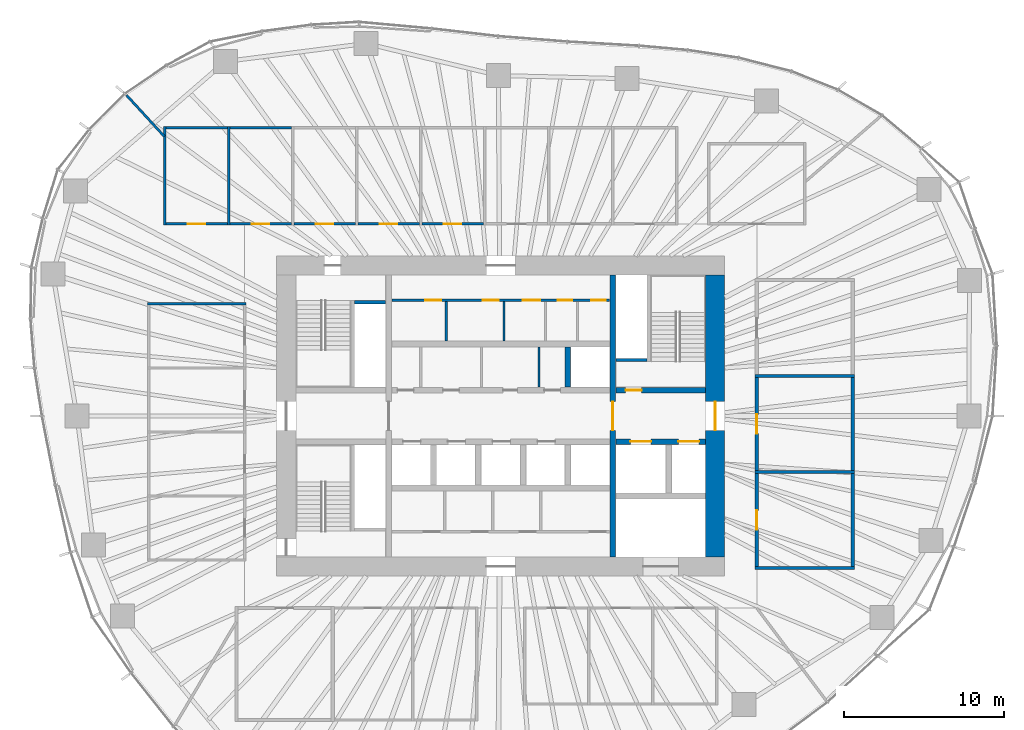
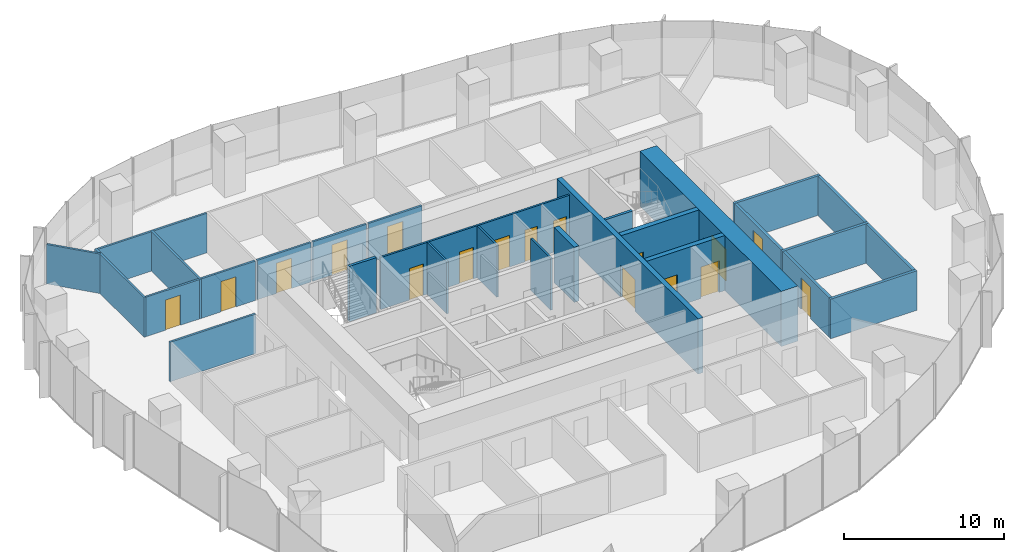
# One storey, part 10 of 18: 29 walls, 17 doors, 17 openings.
"""IFC4 building model written with IfcOpenShell, lengths in metres."""

from ifc_helpers import new_model, si_unit, direction, frame, frame_2d, origin, place, context, subcontext, project, spatial, rectangle, extrude, material, layer, layer_set, type_object, element, fill, save


model = new_model("IFC4")

# Units and contexts
model_context = context("Model", 3, precision=1e-05, world=origin(), true_north=direction((0.0, 1.0)))
body_context = subcontext(model_context, "Body", "Model", "MODEL_VIEW")
ifc_project = project(units=[si_unit("LENGTHUNIT", "METRE"), si_unit("AREAUNIT", "SQUARE_METRE"), si_unit("VOLUMEUNIT", "CUBIC_METRE"), si_unit("PLANEANGLEUNIT", "RADIAN"), si_unit("MASSUNIT", "GRAM", prefix="KILO")], contexts=[model_context])

# Site, building, storey
site_placement = place(None, origin())
site = spatial("IfcSite", under=ifc_project, at=site_placement, CompositionType="ELEMENT")
building_placement = place(site_placement, origin())
building = spatial("IfcBuilding", under=site, at=building_placement, Name="Ghaith Harvest Tower", CompositionType="ELEMENT")
storey_placement = place(building_placement, frame((0.0, 0.0, 113.39990234375)))
storey = spatial("IfcBuildingStorey", under=building, at=storey_placement, Name="L23", CompositionType="ELEMENT", Elevation=113.39990234375)

# Walls
ifc_material_1 = material(Name="Twin-stud gypsum board, acoustic", Category="gypsum")
ifc_layer_1 = layer(ifc_material_1, 0.199951171875)
ifc_layer_set_1 = layer_set([ifc_layer_1], Name="ACOUSTIC PARTITION 200")
wall_type_1 = type_object("IfcWallType", Name="ACOUSTIC PARTITION 200", PredefinedType="PARTITIONING", material=ifc_layer_set_1)
for number, where, z_axis, x_axis, name in (
    (1, (15.89990234375, -9.5, 0.0), (0.0, 0.0, 1.0), (1.0, 0.0, 0.0), "Partition L23 row E3 cross wall 1"),
    (2, (15.89990234375, -3.5, 0.0), (0.0, 0.0, 1.0), (1.0, 0.0, 0.0), "Partition L23 row E3 cross wall 2"),
    (3, (15.89990234375, 2.5, 0.0), (0.0, 0.0, 1.0), (1.0, 0.0, 0.0), "Partition L23 row E3 cross wall 3"),
):
    element("IfcWall", number, at=place(storey_placement, frame(where, z_axis=z_axis, x_axis=x_axis)), inside=storey, type_object=wall_type_1, Name=name, PredefinedType="PARTITIONING", context=body_context, shape_type="SweptSolid", body=[
        extrude(rectangle(XDim=6.2001953125, YDim=0.199951171875, at=frame_2d((3.10009765625, 0.0))), origin(), (0.0, 0.0, 1.0), 3.0),
    ])

# Wall, opening, door
wall_1_placement = place(storey_placement, frame((16.0, -9.39990234375, 0.0), z_axis=(0.0, 0.0, 1.0), x_axis=(0.0, 1.0, 0.0)))
wall_1 = element("IfcWall", 4, at=wall_1_placement, inside=storey, type_object=wall_type_1, Name="Partition L23-10", PredefinedType="PARTITIONING", context=body_context, shape_type="SweptSolid", body=[
    extrude(rectangle(XDim=5.7998046875, YDim=0.199951171875, at=frame_2d((2.89990234375, 0.0))), origin(), (0.0, 0.0, 1.0), 3.0),
])
opening_1_placement = place(wall_1_placement, frame((2.300048828125, 0.0, 0.0)))
opening_1 = element("IfcOpeningElement", 5, at=opening_1_placement, cuts=wall_1, Name="Opening 23-039", PredefinedType="OPENING", context=body_context, shape_type="SweptSolid", body=[
    extrude(rectangle(XDim=1.199951171875, YDim=2.39990234375, at=frame_2d((0.60009765625, 1.199951171875))), frame((0.0, 0.10986328125, 0.0), z_axis=(0.0, -1.0, 0.0), x_axis=(1.0, 0.0, 0.0)), (0.0, 0.0, 1.0), 0.219970703125),
])
ifc_material_2 = material(Name="Timber door", Category="wood")
door_type_1 = type_object("IfcDoorType", Name="D11 GLAZED 1200x2400", OperationType="SINGLE_SWING_LEFT", PredefinedType="DOOR", material=ifc_material_2)
door_1_placement = place(opening_1_placement, origin())
door_1 = element("IfcDoor", 6, at=door_1_placement, inside=storey, type_object=door_type_1, Name="Meeting room door", OperationType="SINGLE_SWING_LEFT", OverallHeight=2.39990234375, OverallWidth=1.199951171875, PredefinedType="DOOR", context=body_context, shape_type="SweptSolid", body=[
    extrude(rectangle(XDim=1.199951171875, YDim=2.39990234375, at=frame_2d((0.60009765625, 1.199951171875))), frame((0.0, 0.02490234375, 0.0), z_axis=(0.0, -1.0, 0.0), x_axis=(1.0, 0.0, 0.0)), (0.0, 0.0, 1.0), 0.050048828125),
])
fill(opening_1, door_1)

# Wall
wall_2_placement = place(storey_placement, frame((22.0, -9.39990234375, 0.0), z_axis=(0.0, 0.0, 1.0), x_axis=(0.0, 1.0, 0.0)))
element("IfcWall", 7, at=wall_2_placement, inside=storey, type_object=wall_type_1, Name="Partition L23-10", PredefinedType="PARTITIONING", context=body_context, shape_type="SweptSolid", body=[
    extrude(rectangle(XDim=5.7998046875, YDim=0.199951171875, at=frame_2d((2.89990234375, 0.0))), origin(), (0.0, 0.0, 1.0), 3.0),
])

# Wall, opening, door
wall_3_placement = place(storey_placement, frame((16.0, -3.39990234375, 0.0), z_axis=(0.0, 0.0, 1.0), x_axis=(0.0, 1.0, 0.0)))
wall_3 = element("IfcWall", 8, at=wall_3_placement, inside=storey, type_object=wall_type_1, Name="Partition L23-11", PredefinedType="PARTITIONING", context=body_context, shape_type="SweptSolid", body=[
    extrude(rectangle(XDim=5.7998046875, YDim=0.199951171875, at=frame_2d((2.89990234375, 0.0))), origin(), (0.0, 0.0, 1.0), 3.0),
])
opening_2_placement = place(wall_3_placement, frame((2.300048828125, 0.0, 0.0)))
opening_2 = element("IfcOpeningElement", 9, at=opening_2_placement, cuts=wall_3, Name="Opening 23-040", PredefinedType="OPENING", context=body_context, shape_type="SweptSolid", body=[
    extrude(rectangle(XDim=1.199951171875, YDim=2.39990234375, at=frame_2d((0.60009765625, 1.199951171875))), frame((0.0, 0.10986328125, 0.0), z_axis=(0.0, -1.0, 0.0), x_axis=(1.0, 0.0, 0.0)), (0.0, 0.0, 1.0), 0.219970703125),
])
door_2_placement = place(opening_2_placement, origin())
door_2 = element("IfcDoor", 10, at=door_2_placement, inside=storey, type_object=door_type_1, Name="Meeting room door", OperationType="SINGLE_SWING_LEFT", OverallHeight=2.39990234375, OverallWidth=1.199951171875, PredefinedType="DOOR", context=body_context, shape_type="SweptSolid", body=[
    extrude(rectangle(XDim=1.199951171875, YDim=2.39990234375, at=frame_2d((0.60009765625, 1.199951171875))), frame((0.0, 0.02490234375, 0.0), z_axis=(0.0, -1.0, 0.0), x_axis=(1.0, 0.0, 0.0)), (0.0, 0.0, 1.0), 0.050048828125),
])
fill(opening_2, door_2)

# Wall
wall_4_placement = place(storey_placement, frame((22.0, -3.39990234375, 0.0), z_axis=(0.0, 0.0, 1.0), x_axis=(0.0, 1.0, 0.0)))
element("IfcWall", 11, at=wall_4_placement, inside=storey, type_object=wall_type_1, Name="Partition L23-11", PredefinedType="PARTITIONING", context=body_context, shape_type="SweptSolid", body=[
    extrude(rectangle(XDim=5.7998046875, YDim=0.199951171875, at=frame_2d((2.89990234375, 0.0))), origin(), (0.0, 0.0, 1.0), 3.0),
])

# Wall, openings, doors
ifc_material_3 = material(Name="Concrete blockwork, fair-faced", Category="masonry")
ifc_layer_2 = layer(ifc_material_3, 0.139892578125)
ifc_layer_set_2 = layer_set([ifc_layer_2], Name="CORE PARTITION 140")
wall_type_2 = type_object("IfcWallType", Name="CORE PARTITION 140", PredefinedType="PARTITIONING", material=ifc_layer_set_2)
wall_5_placement = place(storey_placement, frame((-6.800048828125, 7.22998046875, 0.0), z_axis=(0.0, 0.0, 1.0), x_axis=(1.0, 0.0, 0.0)))
wall_5 = element("IfcWall", 12, at=wall_5_placement, inside=storey, type_object=wall_type_2, Name="Core partition L23", PredefinedType="PARTITIONING", context=body_context, shape_type="SweptSolid", body=[
    extrude(rectangle(XDim=13.60009765625, YDim=0.139892578125, at=frame_2d((6.800048828125, 0.0))), origin(), (0.0, 0.0, 1.0), 3.9501953125),
])
opening_3_placement = place(wall_5_placement, frame((2.080078125, 0.0, 0.0)))
opening_3 = element("IfcOpeningElement", 13, at=opening_3_placement, cuts=wall_5, Name="Opening 23-008", PredefinedType="OPENING", context=body_context, shape_type="SweptSolid", body=[
    extrude(rectangle(XDim=1.0, YDim=2.39990234375, at=frame_2d((0.5, 1.199951171875))), frame((0.0, 0.080078125, 0.0), z_axis=(0.0, -1.0, 0.0), x_axis=(1.0, 0.0, 0.0)), (0.0, 0.0, 1.0), 0.159912109375),
])
opening_4_placement = place(wall_5_placement, frame((5.679931640625, 0.0, 0.0)))
opening_4 = element("IfcOpeningElement", 14, at=opening_4_placement, cuts=wall_5, Name="Opening 23-009", PredefinedType="OPENING", context=body_context, shape_type="SweptSolid", body=[
    extrude(rectangle(XDim=1.0, YDim=2.39990234375, at=frame_2d((0.5, 1.199951171875))), frame((0.0, 0.080078125, 0.0), z_axis=(0.0, -1.0, 0.0), x_axis=(1.0, 0.0, 0.0)), (0.0, 0.0, 1.0), 0.159912109375),
])
opening_5_placement = place(wall_5_placement, frame((8.179931640625, 0.0, 0.0)))
opening_5 = element("IfcOpeningElement", 15, at=opening_5_placement, cuts=wall_5, Name="Opening 23-010", PredefinedType="OPENING", context=body_context, shape_type="SweptSolid", body=[
    extrude(rectangle(XDim=1.10009765625, YDim=2.39990234375, at=frame_2d((0.550048828125, 1.199951171875))), frame((0.0, 0.080078125, 0.0), z_axis=(0.0, -1.0, 0.0), x_axis=(1.0, 0.0, 0.0)), (0.0, 0.0, 1.0), 0.159912109375),
])
opening_6_placement = place(wall_5_placement, frame((10.3798828125, 0.0, 0.0)))
opening_6 = element("IfcOpeningElement", 16, at=opening_6_placement, cuts=wall_5, Name="Opening 23-011", PredefinedType="OPENING", context=body_context, shape_type="SweptSolid", body=[
    extrude(rectangle(XDim=0.89990234375, YDim=2.39990234375, at=frame_2d((0.449951171875, 1.199951171875))), frame((0.0, 0.080078125, 0.0), z_axis=(0.0, -1.0, 0.0), x_axis=(1.0, 0.0, 0.0)), (0.0, 0.0, 1.0), 0.159912109375),
])
opening_7_placement = place(wall_5_placement, frame((12.449951171875, 0.0, 0.0)))
opening_7 = element("IfcOpeningElement", 17, at=opening_7_placement, cuts=wall_5, Name="Opening 23-012", PredefinedType="OPENING", context=body_context, shape_type="SweptSolid", body=[
    extrude(rectangle(XDim=0.89990234375, YDim=2.39990234375, at=frame_2d((0.449951171875, 1.199951171875))), frame((0.0, 0.080078125, 0.0), z_axis=(0.0, -1.0, 0.0), x_axis=(1.0, 0.0, 0.0)), (0.0, 0.0, 1.0), 0.159912109375),
])
ifc_material_4 = material(Name="Steel fire door", Category="steel")
door_type_2 = type_object("IfcDoorType", Name="D3 FD90 1000x2400", OperationType="SINGLE_SWING_LEFT", PredefinedType="DOOR", material=ifc_material_4)
door_3_placement = place(opening_3_placement, origin())
door_3 = element("IfcDoor", 18, at=door_3_placement, inside=storey, type_object=door_type_2, Name="Male WC door", OperationType="SINGLE_SWING_LEFT", OverallHeight=2.39990234375, OverallWidth=1.0, PredefinedType="DOOR", context=body_context, shape_type="SweptSolid", body=[
    extrude(rectangle(XDim=1.0, YDim=2.39990234375, at=frame_2d((0.5, 1.199951171875))), frame((0.0, 0.02490234375, 0.0), z_axis=(0.0, -1.0, 0.0), x_axis=(1.0, 0.0, 0.0)), (0.0, 0.0, 1.0), 0.050048828125),
])
fill(opening_3, door_3)
door_4_placement = place(opening_4_placement, origin())
door_4 = element("IfcDoor", 19, at=door_4_placement, inside=storey, type_object=door_type_2, Name="Female WC door", OperationType="SINGLE_SWING_LEFT", OverallHeight=2.39990234375, OverallWidth=1.0, PredefinedType="DOOR", context=body_context, shape_type="SweptSolid", body=[
    extrude(rectangle(XDim=1.0, YDim=2.39990234375, at=frame_2d((0.5, 1.199951171875))), frame((0.0, 0.02490234375, 0.0), z_axis=(0.0, -1.0, 0.0), x_axis=(1.0, 0.0, 0.0)), (0.0, 0.0, 1.0), 0.050048828125),
])
fill(opening_4, door_4)
ifc_material_5 = material(Name="Steel fire door", Category="steel")
door_type_3 = type_object("IfcDoorType", Name="D5 FD90 900x2400", OperationType="SINGLE_SWING_LEFT", PredefinedType="DOOR", material=ifc_material_5)
door_5_placement = place(opening_6_placement, origin())
door_5 = element("IfcDoor", 20, at=door_5_placement, inside=storey, type_object=door_type_3, Name="Store door", OperationType="SINGLE_SWING_RIGHT", OverallHeight=2.39990234375, OverallWidth=0.89990234375, PredefinedType="DOOR", context=body_context, shape_type="SweptSolid", body=[
    extrude(rectangle(XDim=0.89990234375, YDim=2.39990234375, at=frame_2d((0.449951171875, 1.199951171875))), frame((0.0, 0.02490234375, 0.0), z_axis=(0.0, -1.0, 0.0), x_axis=(1.0, 0.0, 0.0)), (0.0, 0.0, 1.0), 0.050048828125),
])
fill(opening_6, door_5)
door_6_placement = place(opening_7_placement, origin())
door_6 = element("IfcDoor", 21, at=door_6_placement, inside=storey, type_object=door_type_3, Name="Cleaner's store door", OperationType="SINGLE_SWING_RIGHT", OverallHeight=2.39990234375, OverallWidth=0.89990234375, PredefinedType="DOOR", context=body_context, shape_type="SweptSolid", body=[
    extrude(rectangle(XDim=0.89990234375, YDim=2.39990234375, at=frame_2d((0.449951171875, 1.199951171875))), frame((0.0, 0.02490234375, 0.0), z_axis=(0.0, -1.0, 0.0), x_axis=(1.0, 0.0, 0.0)), (0.0, 0.0, 1.0), 0.050048828125),
])
fill(opening_7, door_6)
ifc_material_6 = material(Name="Steel fire door", Category="steel")
door_type_4 = type_object("IfcDoorType", Name="D9 FD90 1100x2400", OperationType="SINGLE_SWING_LEFT", PredefinedType="DOOR", material=ifc_material_6)
door_7_placement = place(opening_5_placement, origin())
door_7 = element("IfcDoor", 22, at=door_7_placement, inside=storey, type_object=door_type_4, Name="Accessible WC door", OperationType="SINGLE_SWING_RIGHT", OverallHeight=2.39990234375, OverallWidth=1.10009765625, PredefinedType="DOOR", context=body_context, shape_type="SweptSolid", body=[
    extrude(rectangle(XDim=1.10009765625, YDim=2.39990234375, at=frame_2d((0.550048828125, 1.199951171875))), frame((0.0, 0.02490234375, 0.0), z_axis=(0.0, -1.0, 0.0), x_axis=(1.0, 0.0, 0.0)), (0.0, 0.0, 1.0), 0.050048828125),
])
fill(opening_5, door_7)

# Walls
for number, where, z_axis, x_axis, name in (
    (23, (-3.39990234375, 4.699951171875, 0.0), (0.0, 0.0, 1.0), (0.0, 1.0, 0.0), "Core partition L23"),
    (24, (0.199951171875, 4.699951171875, 0.0), (0.0, 0.0, 1.0), (0.0, 1.0, 0.0), "Core partition L23"),
):
    element("IfcWall", number, at=place(storey_placement, frame(where, z_axis=z_axis, x_axis=x_axis)), inside=storey, type_object=wall_type_2, Name=name, PredefinedType="PARTITIONING", context=body_context, shape_type="SweptSolid", body=[
        extrude(rectangle(XDim=2.4599609375, YDim=0.139892578125, at=frame_2d((1.22998046875, 0.0))), origin(), (0.0, 0.0, 1.0), 3.9501953125),
    ])
wall_6_placement = place(storey_placement, frame((2.39990234375, 1.800048828125, 0.0), z_axis=(0.0, 0.0, 1.0), x_axis=(0.0, 1.0, 0.0)))
element("IfcWall", 25, at=wall_6_placement, inside=storey, type_object=wall_type_2, Name="Core partition L23", PredefinedType="PARTITIONING", context=body_context, shape_type="SweptSolid", body=[
    extrude(rectangle(XDim=2.5, YDim=0.139892578125, at=frame_2d((1.25, 0.0))), origin(), (0.0, 0.0, 1.0), 3.9501953125),
])

# Wall, opening, door
ifc_material_7 = material(Name="Concrete C60/75", Category="concrete")
ifc_layer_3 = layer(ifc_material_7, 1.199951171875)
ifc_layer_set_3 = layer_set([ifc_layer_3], Name="CORE WALL CW1200 C60")
wall_type_3 = type_object("IfcWallType", Name="CORE WALL CW1200 C60", PredefinedType="SHEAR", material=ifc_layer_set_3)
wall_7_placement = place(storey_placement, frame((13.39990234375, -8.800048828125, 0.0), z_axis=(0.0, 0.0, 1.0), x_axis=(0.0, 1.0, 0.0)))
wall_7 = element("IfcWall", 26, at=wall_7_placement, inside=storey, type_object=wall_type_3, Name="Core wall E L23", PredefinedType="SHEAR", context=body_context, shape_type="SweptSolid", body=[
    extrude(rectangle(XDim=17.60009765625, YDim=1.199951171875, at=frame_2d((8.800048828125, 0.0))), origin(), (0.0, 0.0, 1.0), 4.2001953125),
])
opening_8_placement = place(wall_7_placement, frame((7.89990234375, 0.0, 0.0)))
opening_8 = element("IfcOpeningElement", 27, at=opening_8_placement, cuts=wall_7, Name="Opening 23-002", PredefinedType="OPENING", context=body_context, shape_type="SweptSolid", body=[
    extrude(rectangle(XDim=1.800048828125, YDim=2.39990234375, at=frame_2d((0.89990234375, 1.199951171875))), frame((0.0, 0.60986328125, 0.0), z_axis=(0.0, -1.0, 0.0), x_axis=(1.0, 0.0, 0.0)), (0.0, 0.0, 1.0), 1.219970703125),
])
ifc_material_8 = material(Name="Steel fire door", Category="steel")
door_type_5 = type_object("IfcDoorType", Name="D4 FD90 PAIR 1800x2400", OperationType="DOUBLE_DOOR_SINGLE_SWING", PredefinedType="DOOR", material=ifc_material_8)
door_8_placement = place(opening_8_placement, origin())
door_8 = element("IfcDoor", 28, at=door_8_placement, inside=storey, type_object=door_type_5, Name="Fire-fighting lobby doors", OperationType="DOUBLE_DOOR_SINGLE_SWING", OverallHeight=2.39990234375, OverallWidth=1.800048828125, PredefinedType="DOOR", context=body_context, shape_type="SweptSolid", body=[
    extrude(rectangle(XDim=1.800048828125, YDim=2.39990234375, at=frame_2d((0.89990234375, 1.199951171875))), frame((0.0, 0.02490234375, 0.0), z_axis=(0.0, -1.0, 0.0), x_axis=(1.0, 0.0, 0.0)), (0.0, 0.0, 1.0), 0.050048828125),
])
fill(opening_8, door_8)

# Walls
ifc_material_9 = material(Name="Gypsum board on steel studs", Category="steel")
ifc_layer_4 = layer(ifc_material_9, 0.14990234375)
ifc_layer_set_4 = layer_set([ifc_layer_4], Name="PARTITION 150")
wall_type_4 = type_object("IfcWallType", Name="PARTITION 150", PredefinedType="PARTITIONING", material=ifc_layer_set_4)
for number, where, z_axis, x_axis, name in (
    (29, (-21.0, 11.925048828125, 0.0), (0.0, 0.0, 1.0), (0.0, 1.0, 0.0), "Partition L23 row N1 cross wall 1"),
    (30, (-17.0, 11.925048828125, 0.0), (0.0, 0.0, 1.0), (0.0, 1.0, 0.0), "Partition L23 row N1 cross wall 2"),
):
    element("IfcWall", number, at=place(storey_placement, frame(where, z_axis=z_axis, x_axis=x_axis)), inside=storey, type_object=wall_type_4, Name=name, PredefinedType="PARTITIONING", context=body_context, shape_type="SweptSolid", body=[
        extrude(rectangle(XDim=6.14990234375, YDim=0.14990234375, at=frame_2d((3.074951171875, 0.0))), origin(), (0.0, 0.0, 1.0), 3.0),
    ])

# Wall, opening, door
wall_8_placement = place(storey_placement, frame((-20.925048828125, 12.0, 0.0), z_axis=(0.0, 0.0, 1.0), x_axis=(1.0, 0.0, 0.0)))
wall_8 = element("IfcWall", 31, at=wall_8_placement, inside=storey, type_object=wall_type_4, Name="Partition L23-01", PredefinedType="PARTITIONING", context=body_context, shape_type="SweptSolid", body=[
    extrude(rectangle(XDim=3.85009765625, YDim=0.14990234375, at=frame_2d((1.925048828125, 0.0))), origin(), (0.0, 0.0, 1.0), 3.0),
])
opening_9_placement = place(wall_8_placement, frame((1.375, 0.0, 0.0)))
opening_9 = element("IfcOpeningElement", 32, at=opening_9_placement, cuts=wall_8, Name="Opening 23-030", PredefinedType="OPENING", context=body_context, shape_type="SweptSolid", body=[
    extrude(rectangle(XDim=1.10009765625, YDim=2.300048828125, at=frame_2d((0.550048828125, 1.14990234375))), frame((0.0, 0.0849609375, 0.0), z_axis=(0.0, -1.0, 0.0), x_axis=(1.0, 0.0, 0.0)), (0.0, 0.0, 1.0), 0.169921875),
])
ifc_material_10 = material(Name="Timber-framed glazed door", Category="wood")
door_type_6 = type_object("IfcDoorType", Name="D12 GLAZED OFFICE 1100x2300", OperationType="SINGLE_SWING_LEFT", PredefinedType="DOOR", material=ifc_material_10)
door_9_placement = place(opening_9_placement, origin())
door_9 = element("IfcDoor", 33, at=door_9_placement, inside=storey, type_object=door_type_6, Name="Office door", OperationType="SINGLE_SWING_LEFT", OverallHeight=2.300048828125, OverallWidth=1.10009765625, PredefinedType="DOOR", context=body_context, shape_type="SweptSolid", body=[
    extrude(rectangle(XDim=1.10009765625, YDim=2.300048828125, at=frame_2d((0.550048828125, 1.14990234375))), frame((0.0, 0.02490234375, 0.0), z_axis=(0.0, -1.0, 0.0), x_axis=(1.0, 0.0, 0.0)), (0.0, 0.0, 1.0), 0.050048828125),
])
fill(opening_9, door_9)

# Wall
wall_9_placement = place(storey_placement, frame((-20.925048828125, 18.0, 0.0), z_axis=(0.0, 0.0, 1.0), x_axis=(1.0, 0.0, 0.0)))
element("IfcWall", 34, at=wall_9_placement, inside=storey, type_object=wall_type_4, Name="Partition L23-01", PredefinedType="PARTITIONING", context=body_context, shape_type="SweptSolid", body=[
    extrude(rectangle(XDim=3.85009765625, YDim=0.14990234375, at=frame_2d((1.925048828125, 0.0))), origin(), (0.0, 0.0, 1.0), 3.0),
])

# Wall, opening, door
wall_10_placement = place(storey_placement, frame((-16.925048828125, 12.0, 0.0), z_axis=(0.0, 0.0, 1.0), x_axis=(1.0, 0.0, 0.0)))
wall_10 = element("IfcWall", 35, at=wall_10_placement, inside=storey, type_object=wall_type_4, Name="Partition L23-02", PredefinedType="PARTITIONING", context=body_context, shape_type="SweptSolid", body=[
    extrude(rectangle(XDim=3.85009765625, YDim=0.14990234375, at=frame_2d((1.925048828125, 0.0))), origin(), (0.0, 0.0, 1.0), 3.0),
])
opening_10_placement = place(wall_10_placement, frame((1.375, 0.0, 0.0)))
opening_10 = element("IfcOpeningElement", 36, at=opening_10_placement, cuts=wall_10, Name="Opening 23-031", PredefinedType="OPENING", context=body_context, shape_type="SweptSolid", body=[
    extrude(rectangle(XDim=1.10009765625, YDim=2.300048828125, at=frame_2d((0.550048828125, 1.14990234375))), frame((0.0, 0.0849609375, 0.0), z_axis=(0.0, -1.0, 0.0), x_axis=(1.0, 0.0, 0.0)), (0.0, 0.0, 1.0), 0.169921875),
])
door_10_placement = place(opening_10_placement, origin())
door_10 = element("IfcDoor", 37, at=door_10_placement, inside=storey, type_object=door_type_6, Name="Office door", OperationType="SINGLE_SWING_LEFT", OverallHeight=2.300048828125, OverallWidth=1.10009765625, PredefinedType="DOOR", context=body_context, shape_type="SweptSolid", body=[
    extrude(rectangle(XDim=1.10009765625, YDim=2.300048828125, at=frame_2d((0.550048828125, 1.14990234375))), frame((0.0, 0.02490234375, 0.0), z_axis=(0.0, -1.0, 0.0), x_axis=(1.0, 0.0, 0.0)), (0.0, 0.0, 1.0), 0.050048828125),
])
fill(opening_10, door_10)

# Wall
wall_11_placement = place(storey_placement, frame((-16.925048828125, 18.0, 0.0), z_axis=(0.0, 0.0, 1.0), x_axis=(1.0, 0.0, 0.0)))
element("IfcWall", 38, at=wall_11_placement, inside=storey, type_object=wall_type_4, Name="Partition L23-02", PredefinedType="PARTITIONING", context=body_context, shape_type="SweptSolid", body=[
    extrude(rectangle(XDim=3.85009765625, YDim=0.14990234375, at=frame_2d((1.925048828125, 0.0))), origin(), (0.0, 0.0, 1.0), 3.0),
])

# Wall, opening, door
wall_12_placement = place(storey_placement, frame((-12.925048828125, 12.0, 0.0), z_axis=(0.0, 0.0, 1.0), x_axis=(1.0, 0.0, 0.0)))
wall_12 = element("IfcWall", 39, at=wall_12_placement, inside=storey, type_object=wall_type_4, Name="Partition L23-03", PredefinedType="PARTITIONING", context=body_context, shape_type="SweptSolid", body=[
    extrude(rectangle(XDim=3.85009765625, YDim=0.14990234375, at=frame_2d((1.925048828125, 0.0))), origin(), (0.0, 0.0, 1.0), 3.0),
])
opening_11_placement = place(wall_12_placement, frame((1.375, 0.0, 0.0)))
opening_11 = element("IfcOpeningElement", 40, at=opening_11_placement, cuts=wall_12, Name="Opening 23-032", PredefinedType="OPENING", context=body_context, shape_type="SweptSolid", body=[
    extrude(rectangle(XDim=1.10009765625, YDim=2.300048828125, at=frame_2d((0.550048828125, 1.14990234375))), frame((0.0, 0.0849609375, 0.0), z_axis=(0.0, -1.0, 0.0), x_axis=(1.0, 0.0, 0.0)), (0.0, 0.0, 1.0), 0.169921875),
])
door_11_placement = place(opening_11_placement, origin())
door_11 = element("IfcDoor", 41, at=door_11_placement, inside=storey, type_object=door_type_6, Name="Office door", OperationType="SINGLE_SWING_LEFT", OverallHeight=2.300048828125, OverallWidth=1.10009765625, PredefinedType="DOOR", context=body_context, shape_type="SweptSolid", body=[
    extrude(rectangle(XDim=1.10009765625, YDim=2.300048828125, at=frame_2d((0.550048828125, 1.14990234375))), frame((0.0, 0.02490234375, 0.0), z_axis=(0.0, -1.0, 0.0), x_axis=(1.0, 0.0, 0.0)), (0.0, 0.0, 1.0), 0.050048828125),
])
fill(opening_11, door_11)

wall_13_placement = place(storey_placement, frame((-8.925048828125, 12.0, 0.0), z_axis=(0.0, 0.0, 1.0), x_axis=(1.0, 0.0, 0.0)))
wall_13 = element("IfcWall", 42, at=wall_13_placement, inside=storey, type_object=wall_type_4, Name="Partition L23-04", PredefinedType="PARTITIONING", context=body_context, shape_type="SweptSolid", body=[
    extrude(rectangle(XDim=3.85009765625, YDim=0.14990234375, at=frame_2d((1.925048828125, 0.0))), origin(), (0.0, 0.0, 1.0), 3.0),
])
opening_12_placement = place(wall_13_placement, frame((1.375, 0.0, 0.0)))
opening_12 = element("IfcOpeningElement", 43, at=opening_12_placement, cuts=wall_13, Name="Opening 23-033", PredefinedType="OPENING", context=body_context, shape_type="SweptSolid", body=[
    extrude(rectangle(XDim=1.10009765625, YDim=2.300048828125, at=frame_2d((0.550048828125, 1.14990234375))), frame((0.0, 0.0849609375, 0.0), z_axis=(0.0, -1.0, 0.0), x_axis=(1.0, 0.0, 0.0)), (0.0, 0.0, 1.0), 0.169921875),
])
door_12_placement = place(opening_12_placement, origin())
door_12 = element("IfcDoor", 44, at=door_12_placement, inside=storey, type_object=door_type_6, Name="Office door", OperationType="SINGLE_SWING_LEFT", OverallHeight=2.300048828125, OverallWidth=1.10009765625, PredefinedType="DOOR", context=body_context, shape_type="SweptSolid", body=[
    extrude(rectangle(XDim=1.10009765625, YDim=2.300048828125, at=frame_2d((0.550048828125, 1.14990234375))), frame((0.0, 0.02490234375, 0.0), z_axis=(0.0, -1.0, 0.0), x_axis=(1.0, 0.0, 0.0)), (0.0, 0.0, 1.0), 0.050048828125),
])
fill(opening_12, door_12)

wall_14_placement = place(storey_placement, frame((-4.925048828125, 12.0, 0.0), z_axis=(0.0, 0.0, 1.0), x_axis=(1.0, 0.0, 0.0)))
wall_14 = element("IfcWall", 45, at=wall_14_placement, inside=storey, type_object=wall_type_4, Name="Partition L23-05", PredefinedType="PARTITIONING", context=body_context, shape_type="SweptSolid", body=[
    extrude(rectangle(XDim=3.85009765625, YDim=0.14990234375, at=frame_2d((1.925048828125, 0.0))), origin(), (0.0, 0.0, 1.0), 3.0),
])
opening_13_placement = place(wall_14_placement, frame((1.375, 0.0, 0.0)))
opening_13 = element("IfcOpeningElement", 46, at=opening_13_placement, cuts=wall_14, Name="Opening 23-034", PredefinedType="OPENING", context=body_context, shape_type="SweptSolid", body=[
    extrude(rectangle(XDim=1.10009765625, YDim=2.300048828125, at=frame_2d((0.550048828125, 1.14990234375))), frame((0.0, 0.0849609375, 0.0), z_axis=(0.0, -1.0, 0.0), x_axis=(1.0, 0.0, 0.0)), (0.0, 0.0, 1.0), 0.169921875),
])
door_13_placement = place(opening_13_placement, origin())
door_13 = element("IfcDoor", 47, at=door_13_placement, inside=storey, type_object=door_type_6, Name="Office door", OperationType="SINGLE_SWING_LEFT", OverallHeight=2.300048828125, OverallWidth=1.10009765625, PredefinedType="DOOR", context=body_context, shape_type="SweptSolid", body=[
    extrude(rectangle(XDim=1.10009765625, YDim=2.300048828125, at=frame_2d((0.550048828125, 1.14990234375))), frame((0.0, 0.02490234375, 0.0), z_axis=(0.0, -1.0, 0.0), x_axis=(1.0, 0.0, 0.0)), (0.0, 0.0, 1.0), 0.050048828125),
])
fill(opening_13, door_13)

# Walls
wall_15_placement = place(storey_placement, frame((-15.925048828125, 7.0, 0.0), z_axis=(0.0, 0.0, 1.0), x_axis=(-1.0, 0.0, 0.0)))
element("IfcWall", 48, at=wall_15_placement, inside=storey, type_object=wall_type_4, Name="Partition L23 row W6 cross wall 5", PredefinedType="PARTITIONING", context=body_context, shape_type="SweptSolid", body=[
    extrude(rectangle(XDim=6.14990234375, YDim=0.14990234375, at=frame_2d((3.074951171875, 0.0))), origin(), (0.0, 0.0, 1.0), 3.0),
])
wall_16_placement = place(storey_placement, frame((-21.02001953125, 17.4697265625, 0.0), z_axis=(0.0, 0.0, 1.0), x_axis=(-0.67615762792, 0.736756989927, 0.0)))
element("IfcWall", 49, at=wall_16_placement, inside=storey, type_object=wall_type_4, Name="Partition L23 zone division", PredefinedType="PARTITIONING", context=body_context, shape_type="SweptSolid", body=[
    extrude(rectangle(XDim=3.4970703125, YDim=0.14990234375, at=frame_2d((1.74853515625, 0.0))), origin(), (0.0, 0.0, 1.0), 3.0),
])

# Wall, opening, door
ifc_material_11 = material(Name="Concrete C60/75", Category="concrete")
ifc_layer_5 = layer(ifc_material_11, 0.35009765625)
ifc_layer_set_5 = layer_set([ifc_layer_5], Name="SHAFT WALL 350")
wall_type_5 = type_object("IfcWallType", Name="SHAFT WALL 350", PredefinedType="SHEAR", material=ifc_layer_set_5)
wall_17_placement = place(storey_placement, frame((7.0, -8.800048828125, 0.0), z_axis=(0.0, 0.0, 1.0), x_axis=(0.0, 1.0, 0.0)))
wall_17 = element("IfcWall", 50, at=wall_17_placement, inside=storey, type_object=wall_type_5, Name="Shaft wall W7E L23", PredefinedType="SHEAR", context=body_context, shape_type="SweptSolid", body=[
    extrude(rectangle(XDim=17.60009765625, YDim=0.35009765625, at=frame_2d((8.800048828125, 0.0))), origin(), (0.0, 0.0, 1.0), 4.2001953125),
])
opening_14_placement = place(wall_17_placement, frame((7.89990234375, 0.0, 0.0)))
opening_14 = element("IfcOpeningElement", 51, at=opening_14_placement, cuts=wall_17, Name="Opening 23-004", PredefinedType="OPENING", context=body_context, shape_type="SweptSolid", body=[
    extrude(rectangle(XDim=1.800048828125, YDim=2.39990234375, at=frame_2d((0.89990234375, 1.199951171875))), frame((0.0, 0.18505859375, 0.0), z_axis=(0.0, -1.0, 0.0), x_axis=(1.0, 0.0, 0.0)), (0.0, 0.0, 1.0), 0.3701171875),
])
door_14_placement = place(opening_14_placement, origin())
door_14 = element("IfcDoor", 52, at=door_14_placement, inside=storey, type_object=door_type_5, Name="Lift lobby doors, east", OperationType="DOUBLE_DOOR_SINGLE_SWING", OverallHeight=2.39990234375, OverallWidth=1.800048828125, PredefinedType="DOOR", context=body_context, shape_type="SweptSolid", body=[
    extrude(rectangle(XDim=1.800048828125, YDim=2.39990234375, at=frame_2d((0.89990234375, 1.199951171875))), frame((0.0, 0.02490234375, 0.0), z_axis=(0.0, -1.0, 0.0), x_axis=(1.0, 0.0, 0.0)), (0.0, 0.0, 1.0), 0.050048828125),
])
fill(opening_14, door_14)

wall_18_placement = place(storey_placement, frame((7.199951171875, 1.60009765625, 0.0), z_axis=(0.0, 0.0, 1.0), x_axis=(1.0, 0.0, 0.0)))
wall_18 = element("IfcWall", 53, at=wall_18_placement, inside=storey, type_object=wall_type_5, Name="Shaft wall EN L23", PredefinedType="SHEAR", context=body_context, shape_type="SweptSolid", body=[
    extrude(rectangle(XDim=5.60009765625, YDim=0.35009765625, at=frame_2d((2.800048828125, 0.0))), origin(), (0.0, 0.0, 1.0), 4.2001953125),
])
opening_15_placement = place(wall_18_placement, frame((0.60009765625, 0.0, 0.0)))
opening_15 = element("IfcOpeningElement", 54, at=opening_15_placement, cuts=wall_18, Name="Opening 23-007", PredefinedType="OPENING", context=body_context, shape_type="SweptSolid", body=[
    extrude(rectangle(XDim=1.0, YDim=2.39990234375, at=frame_2d((0.5, 1.199951171875))), frame((0.0, 0.18505859375, 0.0), z_axis=(0.0, -1.0, 0.0), x_axis=(1.0, 0.0, 0.0)), (0.0, 0.0, 1.0), 0.3701171875),
])
door_15_placement = place(opening_15_placement, origin())
door_15 = element("IfcDoor", 55, at=door_15_placement, inside=storey, type_object=door_type_2, Name="Stair ST2 door", OperationType="SINGLE_SWING_LEFT", OverallHeight=2.39990234375, OverallWidth=1.0, PredefinedType="DOOR", context=body_context, shape_type="SweptSolid", body=[
    extrude(rectangle(XDim=1.0, YDim=2.39990234375, at=frame_2d((0.5, 1.199951171875))), frame((0.0, 0.02490234375, 0.0), z_axis=(0.0, -1.0, 0.0), x_axis=(1.0, 0.0, 0.0)), (0.0, 0.0, 1.0), 0.050048828125),
])
fill(opening_15, door_15)

# Wall, openings, doors
wall_19_placement = place(storey_placement, frame((7.199951171875, -1.60009765625, 0.0), z_axis=(0.0, 0.0, 1.0), x_axis=(1.0, 0.0, 0.0)))
wall_19 = element("IfcWall", 56, at=wall_19_placement, inside=storey, type_object=wall_type_5, Name="Shaft wall ES L23", PredefinedType="SHEAR", context=body_context, shape_type="SweptSolid", body=[
    extrude(rectangle(XDim=5.60009765625, YDim=0.35009765625, at=frame_2d((2.800048828125, 0.0))), origin(), (0.0, 0.0, 1.0), 4.2001953125),
])
opening_16_placement = place(wall_19_placement, frame((0.89990234375, 0.0, 0.0)))
opening_16 = element("IfcOpeningElement", 57, at=opening_16_placement, cuts=wall_19, Name="Opening 23-027", PredefinedType="OPENING", context=body_context, shape_type="SweptSolid", body=[
    extrude(rectangle(XDim=1.300048828125, YDim=2.39990234375, at=frame_2d((0.64990234375, 1.199951171875))), frame((0.0, 0.18505859375, 0.0), z_axis=(0.0, -1.0, 0.0), x_axis=(1.0, 0.0, 0.0)), (0.0, 0.0, 1.0), 0.3701171875),
])
opening_17_placement = place(wall_19_placement, frame((3.89990234375, 0.0, 0.0)))
opening_17 = element("IfcOpeningElement", 58, at=opening_17_placement, cuts=wall_19, Name="Opening 23-028", PredefinedType="OPENING", context=body_context, shape_type="SweptSolid", body=[
    extrude(rectangle(XDim=1.300048828125, YDim=2.39990234375, at=frame_2d((0.64990234375, 1.199951171875))), frame((0.0, 0.18505859375, 0.0), z_axis=(0.0, -1.0, 0.0), x_axis=(1.0, 0.0, 0.0)), (0.0, 0.0, 1.0), 0.3701171875),
])
ifc_material_12 = material(Name="Steel fire door", Category="steel")
door_type_7 = type_object("IfcDoorType", Name="LD2 LANDING 1300x2400", OperationType="DOUBLE_DOOR_SLIDING", PredefinedType="DOOR", material=ifc_material_12)
door_16_placement = place(opening_16_placement, origin())
door_16 = element("IfcDoor", 59, at=door_16_placement, inside=storey, type_object=door_type_7, Name="Landing door, fire service lift FL1", OperationType="DOUBLE_DOOR_SLIDING", OverallHeight=2.39990234375, OverallWidth=1.300048828125, PredefinedType="DOOR", context=body_context, shape_type="SweptSolid", body=[
    extrude(rectangle(XDim=1.300048828125, YDim=2.39990234375, at=frame_2d((0.64990234375, 1.199951171875))), frame((0.0, 0.02490234375, 0.0), z_axis=(0.0, -1.0, 0.0), x_axis=(1.0, 0.0, 0.0)), (0.0, 0.0, 1.0), 0.050048828125),
])
fill(opening_16, door_16)
door_17_placement = place(opening_17_placement, origin())
door_17 = element("IfcDoor", 60, at=door_17_placement, inside=storey, type_object=door_type_7, Name="Landing door, fire service lift FL2", OperationType="DOUBLE_DOOR_SLIDING", OverallHeight=2.39990234375, OverallWidth=1.300048828125, PredefinedType="DOOR", context=body_context, shape_type="SweptSolid", body=[
    extrude(rectangle(XDim=1.300048828125, YDim=2.39990234375, at=frame_2d((0.64990234375, 1.199951171875))), frame((0.0, 0.02490234375, 0.0), z_axis=(0.0, -1.0, 0.0), x_axis=(1.0, 0.0, 0.0)), (0.0, 0.0, 1.0), 0.050048828125),
])
fill(opening_17, door_17)

# Walls
wall_20_placement = place(storey_placement, frame((4.199951171875, 1.800048828125, 0.0), z_axis=(0.0, 0.0, 1.0), x_axis=(0.0, 1.0, 0.0)))
element("IfcWall", 61, at=wall_20_placement, inside=storey, type_object=wall_type_5, Name="Shaft wall DN4 L23", PredefinedType="SHEAR", context=body_context, shape_type="SweptSolid", body=[
    extrude(rectangle(XDim=2.5, YDim=0.35009765625, at=frame_2d((1.25, 0.0))), origin(), (0.0, 0.0, 1.0), 4.2001953125),
])
ifc_material_13 = material(Name="Concrete C40/50", Category="concrete")
ifc_layer_6 = layer(ifc_material_13, 0.199951171875)
ifc_layer_set_6 = layer_set([ifc_layer_6], Name="STAIR SPINE WALL RC200")
wall_type_6 = type_object("IfcWallType", Name="STAIR SPINE WALL RC200", PredefinedType="SOLIDWALL", material=ifc_layer_set_6)
for number, where, z_axis, x_axis, name in (
    (62, (-9.14990234375, 7.10009765625, 0.0), (0.0, 0.0, 1.0), (1.0, 0.0, 0.0), "Stair ST1 spine wall return L23"),
    (63, (9.14990234375, 3.5, 0.0), (0.0, 0.0, 1.0), (-1.0, 0.0, 0.0), "Stair ST2 spine wall return L23"),
):
    element("IfcWall", number, at=place(storey_placement, frame(where, z_axis=z_axis, x_axis=x_axis)), inside=storey, type_object=wall_type_6, Name=name, PredefinedType="SOLIDWALL", context=body_context, shape_type="SweptSolid", body=[
        extrude(rectangle(XDim=1.949951171875, YDim=0.199951171875, at=frame_2d((0.97509765625, 0.0))), origin(), (0.0, 0.0, 1.0), 4.2001953125),
    ])

save(model, "model.ifc")
